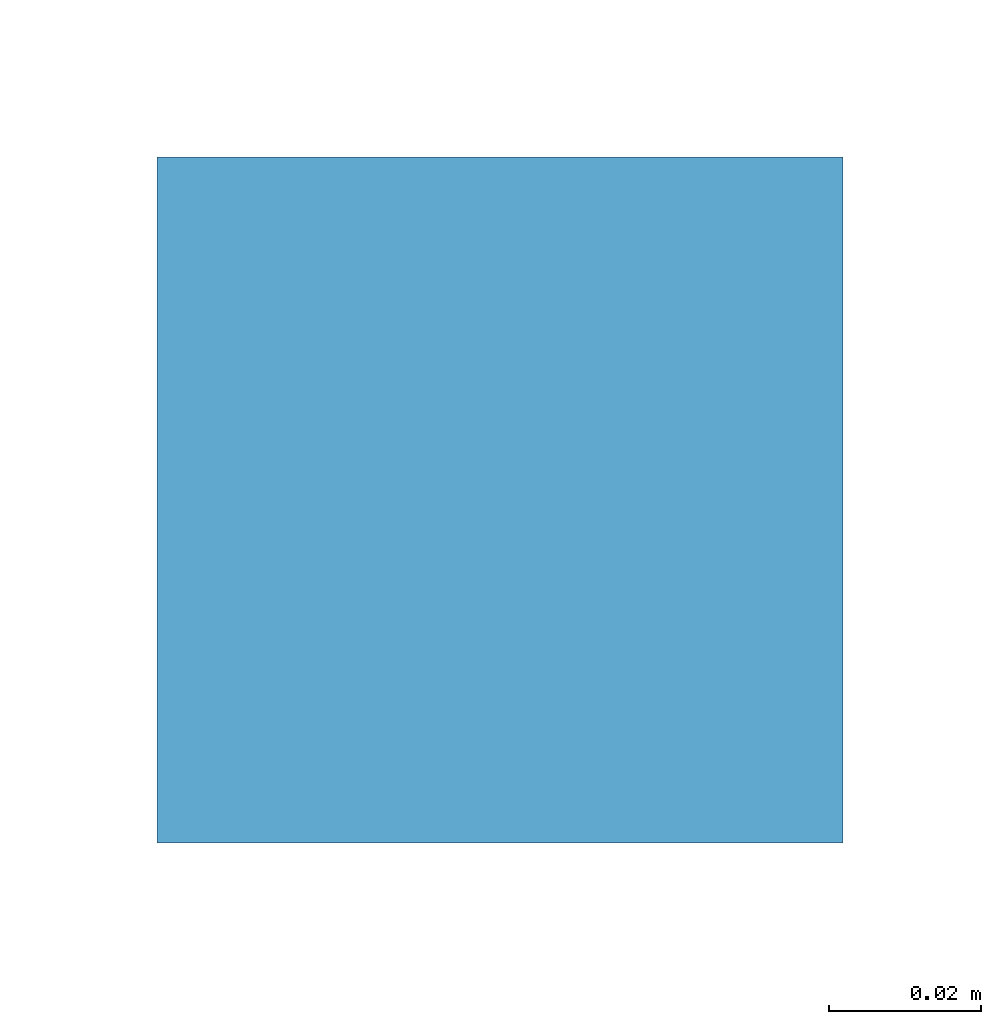
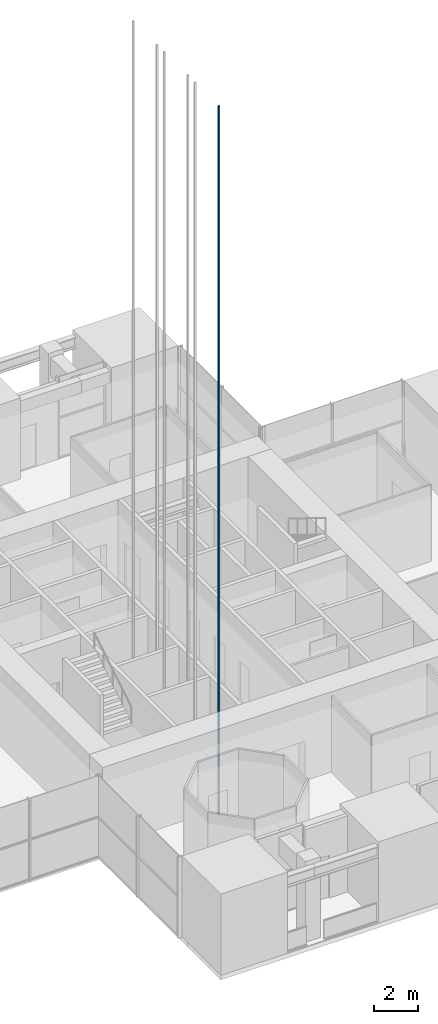
# One storey, part 8 of 17: 1 discrete accessory.
"""IFC4 building model written with IfcOpenShell, lengths in metres."""

from ifc_helpers import new_model, si_unit, direction, frame, origin, origin_2d, place, context, subcontext, project, spatial, rectangle, extrude, element, save


model = new_model("IFC4")

# Units and contexts
model_context = context("Model", 3, precision=1e-05, world=origin(), true_north=direction((0.0, 1.0)))
body_context = subcontext(model_context, "Body", "Model", "MODEL_VIEW")
ifc_project = project(units=[si_unit("LENGTHUNIT", "METRE"), si_unit("AREAUNIT", "SQUARE_METRE"), si_unit("VOLUMEUNIT", "CUBIC_METRE"), si_unit("PLANEANGLEUNIT", "RADIAN"), si_unit("MASSUNIT", "GRAM", prefix="KILO")], contexts=[model_context])

# Site, building, storey
site_placement = place(None, origin())
site = spatial("IfcSite", under=ifc_project, at=site_placement, CompositionType="ELEMENT")
building_placement = place(site_placement, origin())
building = spatial("IfcBuilding", under=site, at=building_placement, Name="Svetlomir Tower", CompositionType="ELEMENT")
storey_placement = place(building_placement, frame((0.0, 0.0, 239.5)))
storey = spatial("IfcBuildingStorey", under=building, at=storey_placement, Name="L57", CompositionType="ELEMENT", Elevation=239.5)

# Discrete accessory
discrete_accessory_placement = place(storey_placement, frame((18.300048828125, 12.824951171875, -1.39990234375), z_axis=(0.0, 0.0, 1.0), x_axis=(1.0, 0.0, 0.0)))
element("IfcDiscreteAccessory", 1, at=discrete_accessory_placement, inside=storey, Name="Lift LD1 guide rail 1", ObjectType="LIFT GUIDE RAIL", PredefinedType="USERDEFINED", context=body_context, shape_type="SweptSolid", body=[
    extrude(rectangle(XDim=0.090087890625, YDim=0.090087890625, at=origin_2d()), origin(), (0.0, 0.0, 1.0), 39.199951171875),
])

save(model, "model.ifc")
